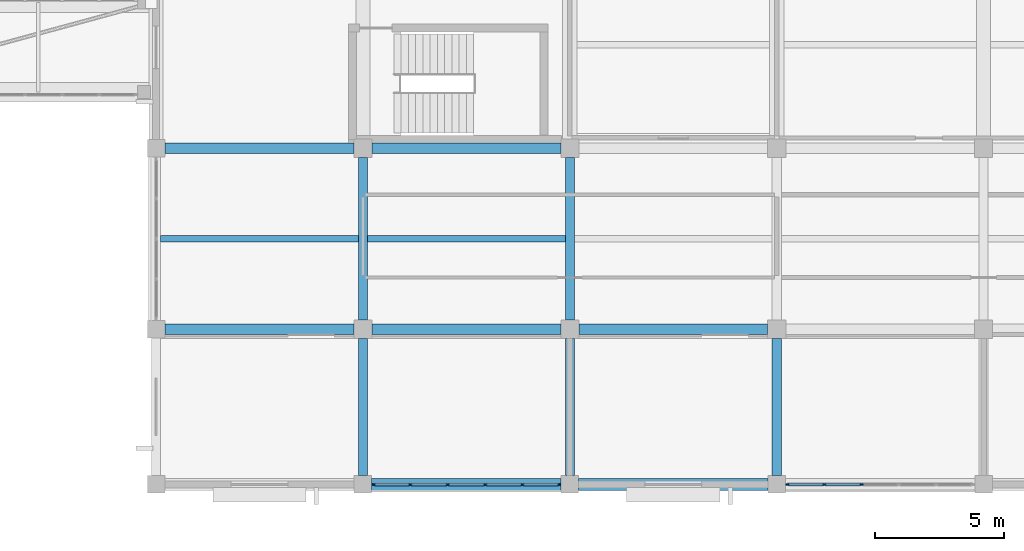
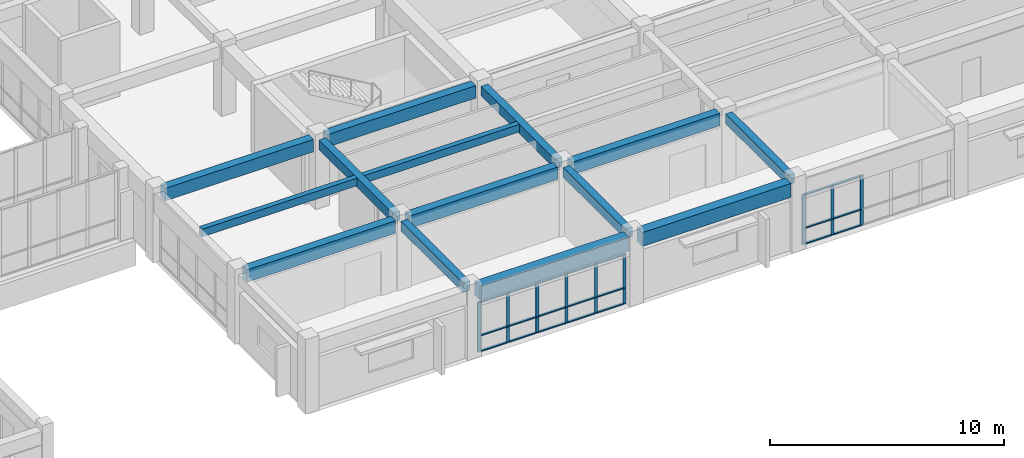
# One storey, part 33 of 66: 30 members, 14 beams, 2 elements without a shape of their own.
"""IFC4 building model written with IfcOpenShell, lengths in metres."""

from ifc_helpers import new_model, si_unit, direction, frame, origin, origin_2d, place, context, subcontext, project, spatial, rectangle, extrude, material, layer, layer_set, material_profile, profile_set, type_object, element, aggregate, save


model = new_model("IFC4")

# Units and contexts
model_context = context("Model", 3, precision=1e-05, world=origin(), true_north=direction((0.0, 1.0)))
body_context = subcontext(model_context, "Body", "Model", "MODEL_VIEW")
ifc_project = project(units=[si_unit("LENGTHUNIT", "METRE"), si_unit("AREAUNIT", "SQUARE_METRE"), si_unit("VOLUMEUNIT", "CUBIC_METRE"), si_unit("PLANEANGLEUNIT", "RADIAN"), si_unit("MASSUNIT", "GRAM", prefix="KILO")], contexts=[model_context])

# Site, building, storey
site_placement = place(None, origin())
site = spatial("IfcSite", under=ifc_project, at=site_placement, CompositionType="ELEMENT")
building_placement = place(site_placement, origin())
building = spatial("IfcBuilding", under=site, at=building_placement, Name="Naurynzar Civic Courthouse", CompositionType="ELEMENT")
storey_placement = place(building_placement, frame((0.0, 0.0, 14.39990234375)))
storey = spatial("IfcBuildingStorey", under=building, at=storey_placement, Name="L04", CompositionType="ELEMENT", Elevation=14.39990234375)

# Beams
ifc_material_1 = material(Name="Concrete C40/50", Category="concrete")
ifc_material_profile_1 = material_profile(ifc_material_1, rectangle(XDim=0.25, YDim=0.39990234375, at=origin_2d()), Name="RCB 250x400")
ifc_profile_set_1 = profile_set([ifc_material_profile_1], Name="Concrete C40/50")
beam_type_1 = type_object("IfcBeamType", Name="BM-JST-250x400", PredefinedType="JOIST", material=ifc_profile_set_1)
for number, where, z_axis, x_axis, name in (
    (1, (130.175048828125, 13.5, 3.380126953125), (1.0, 0.0, 0.0), (0.0, 1.0, 0.0), "V5 secondary rib 2597 L04"),
    (2, (138.175048828125, 13.5, 3.380126953125), (1.0, 0.0, 0.0), (0.0, 1.0, 0.0), "V5 secondary rib 2598 L04"),
):
    element("IfcBeam", number, at=place(storey_placement, frame(where, z_axis=z_axis, x_axis=x_axis)), inside=storey, type_object=beam_type_1, Name=name, PredefinedType="JOIST", context=body_context, shape_type="SweptSolid", body=[
        extrude(rectangle(XDim=0.25, YDim=0.39990234375, at=origin_2d()), origin(), (0.0, 0.0, 1.0), 7.64990234375),
    ])
ifc_material_2 = material(Name="Concrete C40/50", Category="concrete")
ifc_material_profile_2 = material_profile(ifc_material_2, rectangle(XDim=0.35009765625, YDim=0.5, at=origin_2d()), Name="RCB 350x500")
ifc_profile_set_2 = profile_set([ifc_material_profile_2], Name="Concrete C40/50")
beam_type_2 = type_object("IfcBeamType", Name="BM-RC-350x500", PredefinedType="BEAM", material=ifc_profile_set_2)
beam_1_placement = place(storey_placement, frame((138.0, 4.33740234375, 3.330078125), z_axis=(0.0, 1.0, 0.0), x_axis=(-1.0, 0.0, 0.0)))
element("IfcBeam", 3, at=beam_1_placement, inside=storey, type_object=beam_type_2, Name="V5 girder Y-2558 L04", PredefinedType="BEAM", context=body_context, shape_type="SweptSolid", body=[
    extrude(rectangle(XDim=0.35009765625, YDim=0.5, at=origin_2d()), origin(), (0.0, 0.0, 1.0), 5.3125),
])
beam_2_placement = place(storey_placement, frame((138.0, 10.35009765625, 3.330078125), z_axis=(0.0, 1.0, 0.0), x_axis=(-1.0, 0.0, 0.0)))
element("IfcBeam", 4, at=beam_2_placement, inside=storey, type_object=beam_type_2, Name="V5 girder Y-2559 L04", PredefinedType="BEAM", context=body_context, shape_type="SweptSolid", body=[
    extrude(rectangle(XDim=0.35009765625, YDim=0.5, at=origin_2d()), origin(), (0.0, 0.0, 1.0), 6.2998046875),
])
beam_3_placement = place(storey_placement, frame((146.0, 4.33740234375, 3.330078125), z_axis=(0.0, 1.0, 0.0), x_axis=(-1.0, 0.0, 0.0)))
element("IfcBeam", 5, at=beam_3_placement, inside=storey, type_object=beam_type_2, Name="V5 girder Y-2567 L04", PredefinedType="BEAM", context=body_context, shape_type="SweptSolid", body=[
    extrude(rectangle(XDim=0.35009765625, YDim=0.5, at=origin_2d()), origin(), (0.0, 0.0, 1.0), 5.3125),
])
beam_4_placement = place(storey_placement, frame((146.0, 10.35009765625, 3.330078125), z_axis=(0.0, 1.0, 0.0), x_axis=(-1.0, 0.0, 0.0)))
element("IfcBeam", 6, at=beam_4_placement, inside=storey, type_object=beam_type_2, Name="V5 girder Y-2568 L04", PredefinedType="BEAM", context=body_context, shape_type="SweptSolid", body=[
    extrude(rectangle(XDim=0.35009765625, YDim=0.5, at=origin_2d()), origin(), (0.0, 0.0, 1.0), 6.2998046875),
])
beam_5_placement = place(storey_placement, frame((154.0, 4.33740234375, 3.330078125), z_axis=(0.0, 1.0, 0.0), x_axis=(-1.0, 0.0, 0.0)))
element("IfcBeam", 7, at=beam_5_placement, inside=storey, type_object=beam_type_2, Name="V5 girder Y-2576 L04", PredefinedType="BEAM", context=body_context, shape_type="SweptSolid", body=[
    extrude(rectangle(XDim=0.35009765625, YDim=0.5, at=origin_2d()), origin(), (0.0, 0.0, 1.0), 5.3125),
])
ifc_material_3 = material(Name="Concrete C40/50", Category="concrete")
ifc_material_profile_3 = material_profile(ifc_material_3, rectangle(XDim=0.39990234375, YDim=0.64990234375, at=origin_2d()), Name="RCB 400x650")
ifc_profile_set_3 = profile_set([ifc_material_profile_3], Name="Concrete C40/50")
beam_type_3 = type_object("IfcBeamType", Name="BM-RC-400x650", PredefinedType="BEAM", material=ifc_profile_set_3)
beam_6_placement = place(storey_placement, frame((130.33740234375, 10.0, 3.255126953125), z_axis=(1.0, 0.0, 0.0), x_axis=(0.0, 1.0, 0.0)))
element("IfcBeam", 8, at=beam_6_placement, inside=storey, type_object=beam_type_3, Name="V5 beam X-2508 L04", PredefinedType="BEAM", context=body_context, shape_type="SweptSolid", body=[
    extrude(rectangle(XDim=0.39990234375, YDim=0.64990234375, at=origin_2d()), origin(), (0.0, 0.0, 1.0), 7.3125),
])
for number, where, z_axis, x_axis, name in (
    (9, (138.35009765625, 10.0, 3.255126953125), (1.0, 0.0, 0.0), (0.0, 1.0, 0.0), "V5 beam X-2509 L04"),
    (10, (146.35009765625, 10.0, 3.255126953125), (1.0, 0.0, 0.0), (0.0, 1.0, 0.0), "V5 beam X-2510 L04"),
):
    element("IfcBeam", number, at=place(storey_placement, frame(where, z_axis=z_axis, x_axis=x_axis)), inside=storey, type_object=beam_type_3, Name=name, PredefinedType="BEAM", context=body_context, shape_type="SweptSolid", body=[
        extrude(rectangle(XDim=0.39990234375, YDim=0.64990234375, at=origin_2d()), origin(), (0.0, 0.0, 1.0), 7.2998046875),
    ])
beam_7_placement = place(storey_placement, frame((130.33740234375, 17.0, 3.255126953125), z_axis=(1.0, 0.0, 0.0), x_axis=(0.0, 1.0, 0.0)))
element("IfcBeam", 11, at=beam_7_placement, inside=storey, type_object=beam_type_3, Name="V5 beam X-2513 L04", PredefinedType="BEAM", context=body_context, shape_type="SweptSolid", body=[
    extrude(rectangle(XDim=0.39990234375, YDim=0.64990234375, at=origin_2d()), origin(), (0.0, 0.0, 1.0), 7.3125),
])
beam_8_placement = place(storey_placement, frame((138.35009765625, 17.0, 3.255126953125), z_axis=(1.0, 0.0, 0.0), x_axis=(0.0, 1.0, 0.0)))
element("IfcBeam", 12, at=beam_8_placement, inside=storey, type_object=beam_type_3, Name="V5 beam X-2514 L04", PredefinedType="BEAM", context=body_context, shape_type="SweptSolid", body=[
    extrude(rectangle(XDim=0.39990234375, YDim=0.64990234375, at=origin_2d()), origin(), (0.0, 0.0, 1.0), 7.2998046875),
])
ifc_material_4 = material(Name="Concrete C40/50", Category="concrete")
ifc_material_profile_4 = material_profile(ifc_material_4, rectangle(XDim=0.47509765625, YDim=0.72509765625, at=origin_2d()), Name="RCB 475x725")
ifc_profile_set_4 = profile_set([ifc_material_profile_4], Name="Concrete C40/50")
beam_type_4 = type_object("IfcBeamType", Name="BM-RC-475x725", PredefinedType="SPANDREL", material=ifc_profile_set_4)
for number, where, z_axis, x_axis, name in (
    (13, (138.33740234375, 4.0, 3.217529296875), (1.0, 0.0, 0.0), (0.0, 1.0, 0.0), "V5 beam X-2504 L04"),
    (14, (146.33740234375, 4.0, 3.217529296875), (1.0, 0.0, 0.0), (0.0, 1.0, 0.0), "V5 beam X-2505 L04"),
):
    element("IfcBeam", number, at=place(storey_placement, frame(where, z_axis=z_axis, x_axis=x_axis)), inside=storey, type_object=beam_type_4, Name=name, PredefinedType="SPANDREL", context=body_context, shape_type="SweptSolid", body=[
        extrude(rectangle(XDim=0.47509765625, YDim=0.72509765625, at=origin_2d()), origin(), (0.0, 0.0, 1.0), 7.3251953125),
    ])

# Curtain wall, members
ifc_material_5 = material(Name="Aluminium 6063-T6", Category="aluminium")
ifc_layer = layer(ifc_material_5, 0.179931640625)
ifc_layer_set = layer_set([ifc_layer], Name="CW-UNIT-1500")
curtain_wall_type = type_object("IfcCurtainWallType", Name="CW-UNIT-1500", PredefinedType="NOTDEFINED", material=ifc_layer_set)
curtain_wall_1_placement = place(storey_placement, origin())
curtain_wall_1 = element("IfcCurtainWall", 15, at=curtain_wall_1_placement, inside=storey, type_object=curtain_wall_type, Name="V5 unitised curtain wall 100 L04", PredefinedType="NOTDEFINED")
ifc_material_6 = material(Name="Aluminium 6063-T6", Category="aluminium")
ifc_material_profile_5 = material_profile(ifc_material_6, rectangle(XDim=0.06005859375, YDim=0.14990234375, at=origin_2d()), Name="ALU MULLION 60x150")
ifc_profile_set_5 = profile_set([ifc_material_profile_5], Name="Aluminium 6063-T6")
member_type_1 = type_object("IfcMemberType", Name="CWM-60x150", PredefinedType="MULLION", material=ifc_profile_set_5)
member_1_placement = place(storey_placement, frame((157.277587890625, 4.0, 0.0), z_axis=(0.0, 0.0, 1.0), x_axis=(0.0, -1.0, 0.0)))
member_1 = element("IfcMember", 16, at=member_1_placement, type_object=member_type_1, Name="CW-01 mullion 4", PredefinedType="MULLION", context=body_context, shape_type="SweptSolid", body=[
    extrude(rectangle(XDim=0.06005859375, YDim=0.14990234375, at=origin_2d()), origin(), (0.0, 0.0, 1.0), 2.610107421875),
])
member_2_placement = place(storey_placement, frame((155.83251953125, 4.0, 0.0), z_axis=(0.0, 0.0, 1.0), x_axis=(0.0, -1.0, 0.0)))
member_2 = element("IfcMember", 17, at=member_2_placement, type_object=member_type_1, Name="CW-01 mullion 5", PredefinedType="MULLION", context=body_context, shape_type="SweptSolid", body=[
    extrude(rectangle(XDim=0.06005859375, YDim=0.14990234375, at=origin_2d()), origin(), (0.0, 0.0, 1.0), 2.610107421875),
])
member_3_placement = place(storey_placement, frame((154.41748046875, 4.0, 0.0), z_axis=(0.0, 0.0, 1.0), x_axis=(0.0, -1.0, 0.0)))
member_3 = element("IfcMember", 18, at=member_3_placement, type_object=member_type_1, Name="CW-01 mullion 6", PredefinedType="MULLION", context=body_context, shape_type="SweptSolid", body=[
    extrude(rectangle(XDim=0.06005859375, YDim=0.14990234375, at=origin_2d()), origin(), (0.0, 0.0, 1.0), 2.610107421875),
])

curtain_wall_2_placement = place(storey_placement, origin())
curtain_wall_2 = element("IfcCurtainWall", 19, at=curtain_wall_2_placement, inside=storey, type_object=curtain_wall_type, Name="V5 unitised curtain wall 101 L04", PredefinedType="NOTDEFINED")
member_4_placement = place(storey_placement, frame((145.58251953125, 4.0, 0.0), z_axis=(0.0, 0.0, 1.0), x_axis=(0.0, -1.0, 0.0)))
member_4 = element("IfcMember", 20, at=member_4_placement, type_object=member_type_1, Name="CW-01 mullion 1", PredefinedType="MULLION", context=body_context, shape_type="SweptSolid", body=[
    extrude(rectangle(XDim=0.06005859375, YDim=0.14990234375, at=origin_2d()), origin(), (0.0, 0.0, 1.0), 2.610107421875),
])
member_5_placement = place(storey_placement, frame((144.16748046875, 4.0, 0.0), z_axis=(0.0, 0.0, 1.0), x_axis=(0.0, -1.0, 0.0)))
member_5 = element("IfcMember", 21, at=member_5_placement, type_object=member_type_1, Name="CW-01 mullion 2", PredefinedType="MULLION", context=body_context, shape_type="SweptSolid", body=[
    extrude(rectangle(XDim=0.06005859375, YDim=0.14990234375, at=origin_2d()), origin(), (0.0, 0.0, 1.0), 2.610107421875),
])
member_6_placement = place(storey_placement, frame((142.722412109375, 4.0, 0.0), z_axis=(0.0, 0.0, 1.0), x_axis=(0.0, -1.0, 0.0)))
member_6 = element("IfcMember", 22, at=member_6_placement, type_object=member_type_1, Name="CW-01 mullion 3", PredefinedType="MULLION", context=body_context, shape_type="SweptSolid", body=[
    extrude(rectangle(XDim=0.06005859375, YDim=0.14990234375, at=origin_2d()), origin(), (0.0, 0.0, 1.0), 2.610107421875),
])
member_7_placement = place(storey_placement, frame((141.277587890625, 4.0, 0.0), z_axis=(0.0, 0.0, 1.0), x_axis=(0.0, -1.0, 0.0)))
member_7 = element("IfcMember", 23, at=member_7_placement, type_object=member_type_1, Name="CW-01 mullion 4", PredefinedType="MULLION", context=body_context, shape_type="SweptSolid", body=[
    extrude(rectangle(XDim=0.06005859375, YDim=0.14990234375, at=origin_2d()), origin(), (0.0, 0.0, 1.0), 2.610107421875),
])
member_8_placement = place(storey_placement, frame((139.83251953125, 4.0, 0.0), z_axis=(0.0, 0.0, 1.0), x_axis=(0.0, -1.0, 0.0)))
member_8 = element("IfcMember", 24, at=member_8_placement, type_object=member_type_1, Name="CW-01 mullion 5", PredefinedType="MULLION", context=body_context, shape_type="SweptSolid", body=[
    extrude(rectangle(XDim=0.06005859375, YDim=0.14990234375, at=origin_2d()), origin(), (0.0, 0.0, 1.0), 2.610107421875),
])
member_9_placement = place(storey_placement, frame((138.41748046875, 4.0, 0.0), z_axis=(0.0, 0.0, 1.0), x_axis=(0.0, -1.0, 0.0)))
member_9 = element("IfcMember", 25, at=member_9_placement, type_object=member_type_1, Name="CW-01 mullion 6", PredefinedType="MULLION", context=body_context, shape_type="SweptSolid", body=[
    extrude(rectangle(XDim=0.06005859375, YDim=0.14990234375, at=origin_2d()), origin(), (0.0, 0.0, 1.0), 2.610107421875),
])

# Member
ifc_material_7 = material(Name="Aluminium 6063-T6", Category="aluminium")
ifc_material_profile_6 = material_profile(ifc_material_7, rectangle(XDim=0.110107421875, YDim=0.06005859375, at=origin_2d()), Name="ALU TRANSOM 60x110")
ifc_profile_set_6 = profile_set([ifc_material_profile_6], Name="Aluminium 6063-T6")
member_type_2 = type_object("IfcMemberType", Name="CWT-60x110", PredefinedType="USERDEFINED", material=ifc_profile_set_6)
member_10_placement = place(storey_placement, frame((157.24755859375, 4.0, 0.030029296875), z_axis=(-1.0, 0.0, 0.0), x_axis=(0.0, -1.0, 0.0)))
member_10 = element("IfcMember", 26, at=member_10_placement, type_object=member_type_2, Name="CW-01 transom 4.1", ObjectType="TRANSOM", PredefinedType="USERDEFINED", context=body_context, shape_type="SweptSolid", body=[
    extrude(rectangle(XDim=0.110107421875, YDim=0.06005859375, at=origin_2d()), origin(), (0.0, 0.0, 1.0), 1.385009765625),
])

member_11_placement = place(storey_placement, frame((157.24755859375, 4.0, 0.85009765625), z_axis=(-1.0, 0.0, 0.0), x_axis=(0.0, -1.0, 0.0)))
member_11 = element("IfcMember", 27, at=member_11_placement, type_object=member_type_2, Name="CW-01 transom 4.2", ObjectType="TRANSOM", PredefinedType="USERDEFINED", context=body_context, shape_type="SweptSolid", body=[
    extrude(rectangle(XDim=0.110107421875, YDim=0.06005859375, at=origin_2d()), origin(), (0.0, 0.0, 1.0), 1.385009765625),
])

member_12_placement = place(storey_placement, frame((157.24755859375, 4.0, 2.580078125), z_axis=(-1.0, 0.0, 0.0), x_axis=(0.0, -1.0, 0.0)))
member_12 = element("IfcMember", 28, at=member_12_placement, type_object=member_type_2, Name="CW-01 transom 4.3", ObjectType="TRANSOM", PredefinedType="USERDEFINED", context=body_context, shape_type="SweptSolid", body=[
    extrude(rectangle(XDim=0.110107421875, YDim=0.06005859375, at=origin_2d()), origin(), (0.0, 0.0, 1.0), 1.385009765625),
])

member_13_placement = place(storey_placement, frame((155.802490234375, 4.0, 0.030029296875), z_axis=(-1.0, 0.0, 0.0), x_axis=(0.0, -1.0, 0.0)))
member_13 = element("IfcMember", 29, at=member_13_placement, type_object=member_type_2, Name="CW-01 transom 5.1", ObjectType="TRANSOM", PredefinedType="USERDEFINED", context=body_context, shape_type="SweptSolid", body=[
    extrude(rectangle(XDim=0.110107421875, YDim=0.06005859375, at=origin_2d()), origin(), (0.0, 0.0, 1.0), 1.35498046875),
])

member_14_placement = place(storey_placement, frame((155.802490234375, 4.0, 0.85009765625), z_axis=(-1.0, 0.0, 0.0), x_axis=(0.0, -1.0, 0.0)))
member_14 = element("IfcMember", 30, at=member_14_placement, type_object=member_type_2, Name="CW-01 transom 5.2", ObjectType="TRANSOM", PredefinedType="USERDEFINED", context=body_context, shape_type="SweptSolid", body=[
    extrude(rectangle(XDim=0.110107421875, YDim=0.06005859375, at=origin_2d()), origin(), (0.0, 0.0, 1.0), 1.35498046875),
])

member_15_placement = place(storey_placement, frame((155.802490234375, 4.0, 2.580078125), z_axis=(-1.0, 0.0, 0.0), x_axis=(0.0, -1.0, 0.0)))
member_15 = element("IfcMember", 31, at=member_15_placement, type_object=member_type_2, Name="CW-01 transom 5.3", ObjectType="TRANSOM", PredefinedType="USERDEFINED", context=body_context, shape_type="SweptSolid", body=[
    extrude(rectangle(XDim=0.110107421875, YDim=0.06005859375, at=origin_2d()), origin(), (0.0, 0.0, 1.0), 1.35498046875),
])

aggregate(curtain_wall_1, [member_1, member_2, member_3, member_10, member_11, member_12, member_13, member_14, member_15])

member_16_placement = place(storey_placement, frame((145.552490234375, 4.0, 0.030029296875), z_axis=(-1.0, 0.0, 0.0), x_axis=(0.0, -1.0, 0.0)))
member_16 = element("IfcMember", 32, at=member_16_placement, type_object=member_type_2, Name="CW-01 transom 1.1", ObjectType="TRANSOM", PredefinedType="USERDEFINED", context=body_context, shape_type="SweptSolid", body=[
    extrude(rectangle(XDim=0.110107421875, YDim=0.06005859375, at=origin_2d()), origin(), (0.0, 0.0, 1.0), 1.35498046875),
])

member_17_placement = place(storey_placement, frame((145.552490234375, 4.0, 0.85009765625), z_axis=(-1.0, 0.0, 0.0), x_axis=(0.0, -1.0, 0.0)))
member_17 = element("IfcMember", 33, at=member_17_placement, type_object=member_type_2, Name="CW-01 transom 1.2", ObjectType="TRANSOM", PredefinedType="USERDEFINED", context=body_context, shape_type="SweptSolid", body=[
    extrude(rectangle(XDim=0.110107421875, YDim=0.06005859375, at=origin_2d()), origin(), (0.0, 0.0, 1.0), 1.35498046875),
])

member_18_placement = place(storey_placement, frame((145.552490234375, 4.0, 2.580078125), z_axis=(-1.0, 0.0, 0.0), x_axis=(0.0, -1.0, 0.0)))
member_18 = element("IfcMember", 34, at=member_18_placement, type_object=member_type_2, Name="CW-01 transom 1.3", ObjectType="TRANSOM", PredefinedType="USERDEFINED", context=body_context, shape_type="SweptSolid", body=[
    extrude(rectangle(XDim=0.110107421875, YDim=0.06005859375, at=origin_2d()), origin(), (0.0, 0.0, 1.0), 1.35498046875),
])

member_19_placement = place(storey_placement, frame((144.137451171875, 4.0, 0.030029296875), z_axis=(-1.0, 0.0, 0.0), x_axis=(0.0, -1.0, 0.0)))
member_19 = element("IfcMember", 35, at=member_19_placement, type_object=member_type_2, Name="CW-01 transom 2.1", ObjectType="TRANSOM", PredefinedType="USERDEFINED", context=body_context, shape_type="SweptSolid", body=[
    extrude(rectangle(XDim=0.110107421875, YDim=0.06005859375, at=origin_2d()), origin(), (0.0, 0.0, 1.0), 1.385009765625),
])

member_20_placement = place(storey_placement, frame((144.137451171875, 4.0, 0.85009765625), z_axis=(-1.0, 0.0, 0.0), x_axis=(0.0, -1.0, 0.0)))
member_20 = element("IfcMember", 36, at=member_20_placement, type_object=member_type_2, Name="CW-01 transom 2.2", ObjectType="TRANSOM", PredefinedType="USERDEFINED", context=body_context, shape_type="SweptSolid", body=[
    extrude(rectangle(XDim=0.110107421875, YDim=0.06005859375, at=origin_2d()), origin(), (0.0, 0.0, 1.0), 1.385009765625),
])

member_21_placement = place(storey_placement, frame((144.137451171875, 4.0, 2.580078125), z_axis=(-1.0, 0.0, 0.0), x_axis=(0.0, -1.0, 0.0)))
member_21 = element("IfcMember", 37, at=member_21_placement, type_object=member_type_2, Name="CW-01 transom 2.3", ObjectType="TRANSOM", PredefinedType="USERDEFINED", context=body_context, shape_type="SweptSolid", body=[
    extrude(rectangle(XDim=0.110107421875, YDim=0.06005859375, at=origin_2d()), origin(), (0.0, 0.0, 1.0), 1.385009765625),
])

member_22_placement = place(storey_placement, frame((142.6923828125, 4.0, 0.030029296875), z_axis=(-1.0, 0.0, 0.0), x_axis=(0.0, -1.0, 0.0)))
member_22 = element("IfcMember", 38, at=member_22_placement, type_object=member_type_2, Name="CW-01 transom 3.1", ObjectType="TRANSOM", PredefinedType="USERDEFINED", context=body_context, shape_type="SweptSolid", body=[
    extrude(rectangle(XDim=0.110107421875, YDim=0.06005859375, at=origin_2d()), origin(), (0.0, 0.0, 1.0), 1.384765625),
])

member_23_placement = place(storey_placement, frame((142.6923828125, 4.0, 0.85009765625), z_axis=(-1.0, 0.0, 0.0), x_axis=(0.0, -1.0, 0.0)))
member_23 = element("IfcMember", 39, at=member_23_placement, type_object=member_type_2, Name="CW-01 transom 3.2", ObjectType="TRANSOM", PredefinedType="USERDEFINED", context=body_context, shape_type="SweptSolid", body=[
    extrude(rectangle(XDim=0.110107421875, YDim=0.06005859375, at=origin_2d()), origin(), (0.0, 0.0, 1.0), 1.384765625),
])

member_24_placement = place(storey_placement, frame((142.6923828125, 4.0, 2.580078125), z_axis=(-1.0, 0.0, 0.0), x_axis=(0.0, -1.0, 0.0)))
member_24 = element("IfcMember", 40, at=member_24_placement, type_object=member_type_2, Name="CW-01 transom 3.3", ObjectType="TRANSOM", PredefinedType="USERDEFINED", context=body_context, shape_type="SweptSolid", body=[
    extrude(rectangle(XDim=0.110107421875, YDim=0.06005859375, at=origin_2d()), origin(), (0.0, 0.0, 1.0), 1.384765625),
])

member_25_placement = place(storey_placement, frame((141.24755859375, 4.0, 0.030029296875), z_axis=(-1.0, 0.0, 0.0), x_axis=(0.0, -1.0, 0.0)))
member_25 = element("IfcMember", 41, at=member_25_placement, type_object=member_type_2, Name="CW-01 transom 4.1", ObjectType="TRANSOM", PredefinedType="USERDEFINED", context=body_context, shape_type="SweptSolid", body=[
    extrude(rectangle(XDim=0.110107421875, YDim=0.06005859375, at=origin_2d()), origin(), (0.0, 0.0, 1.0), 1.385009765625),
])

member_26_placement = place(storey_placement, frame((141.24755859375, 4.0, 0.85009765625), z_axis=(-1.0, 0.0, 0.0), x_axis=(0.0, -1.0, 0.0)))
member_26 = element("IfcMember", 42, at=member_26_placement, type_object=member_type_2, Name="CW-01 transom 4.2", ObjectType="TRANSOM", PredefinedType="USERDEFINED", context=body_context, shape_type="SweptSolid", body=[
    extrude(rectangle(XDim=0.110107421875, YDim=0.06005859375, at=origin_2d()), origin(), (0.0, 0.0, 1.0), 1.385009765625),
])

member_27_placement = place(storey_placement, frame((141.24755859375, 4.0, 2.580078125), z_axis=(-1.0, 0.0, 0.0), x_axis=(0.0, -1.0, 0.0)))
member_27 = element("IfcMember", 43, at=member_27_placement, type_object=member_type_2, Name="CW-01 transom 4.3", ObjectType="TRANSOM", PredefinedType="USERDEFINED", context=body_context, shape_type="SweptSolid", body=[
    extrude(rectangle(XDim=0.110107421875, YDim=0.06005859375, at=origin_2d()), origin(), (0.0, 0.0, 1.0), 1.385009765625),
])

member_28_placement = place(storey_placement, frame((139.802490234375, 4.0, 0.030029296875), z_axis=(-1.0, 0.0, 0.0), x_axis=(0.0, -1.0, 0.0)))
member_28 = element("IfcMember", 44, at=member_28_placement, type_object=member_type_2, Name="CW-01 transom 5.1", ObjectType="TRANSOM", PredefinedType="USERDEFINED", context=body_context, shape_type="SweptSolid", body=[
    extrude(rectangle(XDim=0.110107421875, YDim=0.06005859375, at=origin_2d()), origin(), (0.0, 0.0, 1.0), 1.35498046875),
])

member_29_placement = place(storey_placement, frame((139.802490234375, 4.0, 0.85009765625), z_axis=(-1.0, 0.0, 0.0), x_axis=(0.0, -1.0, 0.0)))
member_29 = element("IfcMember", 45, at=member_29_placement, type_object=member_type_2, Name="CW-01 transom 5.2", ObjectType="TRANSOM", PredefinedType="USERDEFINED", context=body_context, shape_type="SweptSolid", body=[
    extrude(rectangle(XDim=0.110107421875, YDim=0.06005859375, at=origin_2d()), origin(), (0.0, 0.0, 1.0), 1.35498046875),
])

member_30_placement = place(storey_placement, frame((139.802490234375, 4.0, 2.580078125), z_axis=(-1.0, 0.0, 0.0), x_axis=(0.0, -1.0, 0.0)))
member_30 = element("IfcMember", 46, at=member_30_placement, type_object=member_type_2, Name="CW-01 transom 5.3", ObjectType="TRANSOM", PredefinedType="USERDEFINED", context=body_context, shape_type="SweptSolid", body=[
    extrude(rectangle(XDim=0.110107421875, YDim=0.06005859375, at=origin_2d()), origin(), (0.0, 0.0, 1.0), 1.35498046875),
])

aggregate(curtain_wall_2, [member_4, member_5, member_6, member_7, member_8, member_9, member_16, member_17, member_18, member_19, member_20, member_21, member_22, member_23, member_24, member_25, member_26, member_27, member_28, member_29, member_30])

save(model, "model.ifc")
